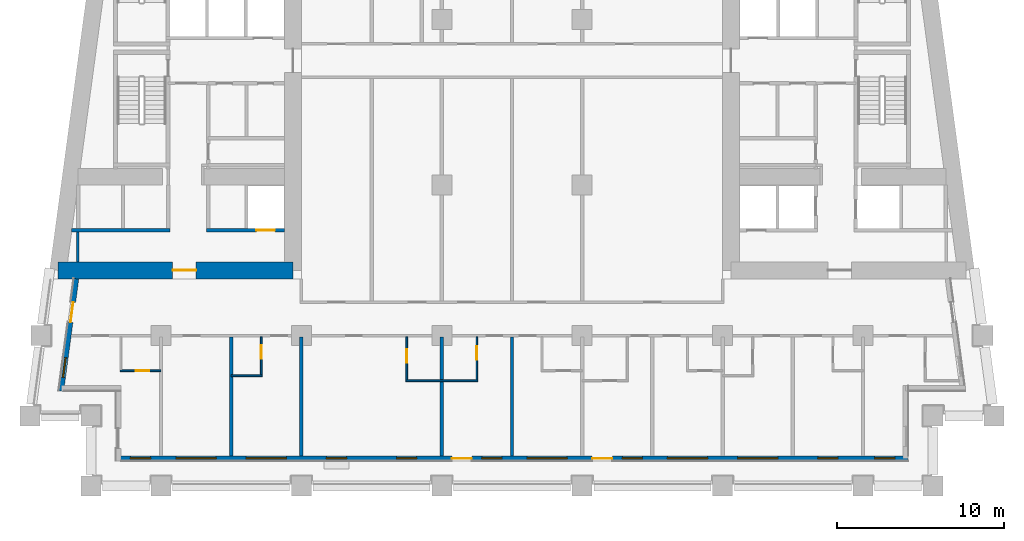
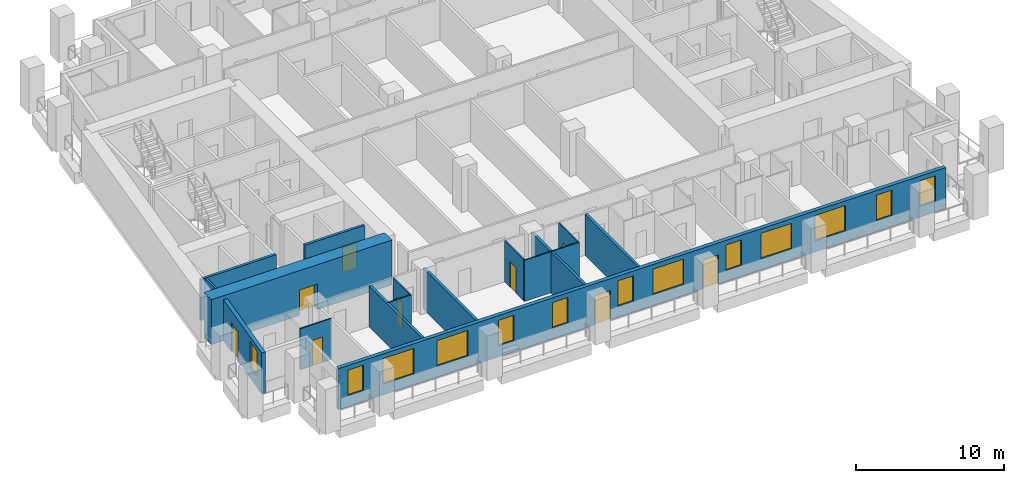
# One storey, part 2 of 13: 16 walls, 13 windows, 9 doors, 22 openings.
"""IFC4 building model written with IfcOpenShell, lengths in metres."""

from ifc_helpers import new_model, si_unit, direction, frame, frame_2d, origin, place, context, subcontext, project, spatial, rectangle, extrude, material, layer, layer_set, type_object, element, fill, save


model = new_model("IFC4")

# Units and contexts
model_context = context("Model", 3, precision=1e-05, world=origin(), true_north=direction((0.0, 1.0)))
body_context = subcontext(model_context, "Body", "Model", "MODEL_VIEW")
ifc_project = project(units=[si_unit("LENGTHUNIT", "METRE"), si_unit("AREAUNIT", "SQUARE_METRE"), si_unit("VOLUMEUNIT", "CUBIC_METRE"), si_unit("PLANEANGLEUNIT", "RADIAN"), si_unit("MASSUNIT", "GRAM", prefix="KILO")], contexts=[model_context])

# Site, building, storey
site_placement = place(None, origin())
site = spatial("IfcSite", under=ifc_project, at=site_placement, CompositionType="ELEMENT")
building_placement = place(site_placement, origin())
building = spatial("IfcBuilding", under=site, at=building_placement, Name="Candeia Pilgrim Tower and Theatre", CompositionType="ELEMENT")
storey_placement = place(building_placement, frame((0.0, 0.0, 91.0)))
storey = spatial("IfcBuildingStorey", under=building, at=storey_placement, Name="L20", CompositionType="ELEMENT", Elevation=91.0)

# Wall, opening, door
ifc_material_1 = material(Name="Concrete C70/85", Category="concrete")
ifc_layer_1 = layer(ifc_material_1, 1.0)
ifc_layer_set_1 = layer_set([ifc_layer_1], Name="Core wall 1000 C70/85")
wall_type_1 = type_object("IfcWallType", Name="Core wall 1000 C70/85", PredefinedType="SHEAR", material=ifc_layer_set_1)
wall_1_placement = place(storey_placement, frame((100.300048828125, 110.89990234375, 0.0), z_axis=(0.0, 0.0, 1.0), x_axis=(-1.0, 0.0, 0.0)))
wall_1 = element("IfcWall", 1, at=wall_1_placement, inside=storey, type_object=wall_type_1, Name="Core wall W3", PredefinedType="SHEAR", context=body_context, shape_type="SweptSolid", body=[
    extrude(rectangle(XDim=14.05908203125, YDim=1.0, at=frame_2d((7.029541015625, 0.0))), origin(), (0.0, 0.0, 1.0), 3.699951171875),
])
opening_1_placement = place(wall_1_placement, frame((5.801513671875, 0.0, 0.0)))
opening_1 = element("IfcOpeningElement", 2, at=opening_1_placement, cuts=wall_1, Name="Opening L20-D059", PredefinedType="OPENING", context=body_context, shape_type="SweptSolid", body=[
    extrude(rectangle(XDim=1.39990234375, YDim=2.10009765625, at=frame_2d((0.699951171875, 1.050048828125))), frame((0.0, 0.510009765625, 0.0), z_axis=(0.0, -1.0, 0.0), x_axis=(1.0, 0.0, 0.0)), (0.0, 0.0, 1.0), 1.02001953125),
])
ifc_material_2 = material(Name="Steel fire door set", Category="steel")
door_type_1 = type_object("IfcDoorType", Name="D-1400-FD60", OperationType="NOTDEFINED", PredefinedType="DOOR", material=ifc_material_2)
door_1_placement = place(opening_1_placement, origin())
door_1 = element("IfcDoor", 3, at=door_1_placement, inside=storey, type_object=door_type_1, Name="Door L20-D059", OperationType="SINGLE_SWING_LEFT", OverallHeight=2.10009765625, OverallWidth=1.39990234375, PredefinedType="DOOR", context=body_context, shape_type="SweptSolid", body=[
    extrude(rectangle(XDim=1.39990234375, YDim=2.10009765625, at=frame_2d((0.699951171875, 1.050048828125))), frame((0.0, 0.02490234375, 0.0), z_axis=(0.0, -1.0, 0.0), x_axis=(1.0, 0.0, 0.0)), (0.0, 0.0, 1.0), 0.050048828125),
])
fill(opening_1, door_1)

# Wall, openings, doors, windows
ifc_material_3 = material(Name="Ceramic block masonry", Category="masonry")
ifc_layer_2 = layer(ifc_material_3, 0.300048828125)
ifc_layer_set_2 = layer_set([ifc_layer_2], Name="EW1 glazing-line wall 300")
wall_type_2 = type_object("IfcWallType", Name="EW1 glazing-line wall 300", PredefinedType="SOLIDWALL", material=ifc_layer_set_2)
wall_2_placement = place(storey_placement, frame((89.85009765625, 99.64990234375, 0.0), z_axis=(0.0, 0.0, 1.0), x_axis=(1.0, 0.0, 0.0)))
wall_2 = element("IfcWall", 4, at=wall_2_placement, inside=storey, type_object=wall_type_2, Name="External wall L20-0.0", PredefinedType="SOLIDWALL", context=body_context, shape_type="SweptSolid", body=[
    extrude(rectangle(XDim=47.25, YDim=0.300048828125, at=frame_2d((23.625, 0.0))), origin(), (0.0, 0.0, 1.0), 3.3798828125),
])
opening_2_placement = place(wall_2_placement, frame((0.72509765625, 0.0, 0.89990234375)))
opening_2 = element("IfcOpeningElement", 5, at=opening_2_placement, cuts=wall_2, Name="Opening W-B", PredefinedType="OPENING", context=body_context, shape_type="SweptSolid", body=[
    extrude(rectangle(XDim=1.199951171875, YDim=2.10009765625, at=frame_2d((0.60009765625, 1.050048828125))), frame((0.0, 0.16015625, 0.0), z_axis=(0.0, -1.0, 0.0), x_axis=(1.0, 0.0, 0.0)), (0.0, 0.0, 1.0), 0.320068359375),
])
opening_3_placement = place(wall_2_placement, frame((3.449951171875, 0.0, 0.89990234375)))
opening_3 = element("IfcOpeningElement", 6, at=opening_3_placement, cuts=wall_2, Name="Opening W-A", PredefinedType="OPENING", context=body_context, shape_type="SweptSolid", body=[
    extrude(rectangle(XDim=2.39990234375, YDim=2.10009765625, at=frame_2d((1.199951171875, 1.050048828125))), frame((0.0, 0.16015625, 0.0), z_axis=(0.0, -1.0, 0.0), x_axis=(1.0, 0.0, 0.0)), (0.0, 0.0, 1.0), 0.320068359375),
])
opening_4_placement = place(wall_2_placement, frame((7.64990234375, 0.0, 0.89990234375)))
opening_4 = element("IfcOpeningElement", 7, at=opening_4_placement, cuts=wall_2, Name="Opening W-A", PredefinedType="OPENING", context=body_context, shape_type="SweptSolid", body=[
    extrude(rectangle(XDim=2.39990234375, YDim=2.10009765625, at=frame_2d((1.199951171875, 1.050048828125))), frame((0.0, 0.16015625, 0.0), z_axis=(0.0, -1.0, 0.0), x_axis=(1.0, 0.0, 0.0)), (0.0, 0.0, 1.0), 0.320068359375),
])
opening_5_placement = place(wall_2_placement, frame((12.449951171875, 0.0, 0.89990234375)))
opening_5 = element("IfcOpeningElement", 8, at=opening_5_placement, cuts=wall_2, Name="Opening W-B", PredefinedType="OPENING", context=body_context, shape_type="SweptSolid", body=[
    extrude(rectangle(XDim=1.199951171875, YDim=2.10009765625, at=frame_2d((0.60009765625, 1.050048828125))), frame((0.0, 0.16015625, 0.0), z_axis=(0.0, -1.0, 0.0), x_axis=(1.0, 0.0, 0.0)), (0.0, 0.0, 1.0), 0.320068359375),
])
opening_6_placement = place(wall_2_placement, frame((16.64990234375, 0.0, 0.89990234375)))
opening_6 = element("IfcOpeningElement", 9, at=opening_6_placement, cuts=wall_2, Name="Opening W-B", PredefinedType="OPENING", context=body_context, shape_type="SweptSolid", body=[
    extrude(rectangle(XDim=1.199951171875, YDim=2.10009765625, at=frame_2d((0.60009765625, 1.050048828125))), frame((0.0, 0.16015625, 0.0), z_axis=(0.0, -1.0, 0.0), x_axis=(1.0, 0.0, 0.0)), (0.0, 0.0, 1.0), 0.320068359375),
])
opening_7_placement = place(wall_2_placement, frame((19.949951171875, 0.0, 0.0)))
opening_7 = element("IfcOpeningElement", 10, at=opening_7_placement, cuts=wall_2, Name="Opening L20-ED205", PredefinedType="OPENING", context=body_context, shape_type="SweptSolid", body=[
    extrude(rectangle(XDim=1.199951171875, YDim=2.39990234375, at=frame_2d((0.60009765625, 1.199951171875))), frame((0.0, 0.16015625, 0.0), z_axis=(0.0, -1.0, 0.0), x_axis=(1.0, 0.0, 0.0)), (0.0, 0.0, 1.0), 0.320068359375),
])
opening_8_placement = place(wall_2_placement, frame((21.75, 0.0, 0.89990234375)))
opening_8 = element("IfcOpeningElement", 11, at=opening_8_placement, cuts=wall_2, Name="Opening W-B", PredefinedType="OPENING", context=body_context, shape_type="SweptSolid", body=[
    extrude(rectangle(XDim=1.199951171875, YDim=2.10009765625, at=frame_2d((0.60009765625, 1.050048828125))), frame((0.0, 0.16015625, 0.0), z_axis=(0.0, -1.0, 0.0), x_axis=(1.0, 0.0, 0.0)), (0.0, 0.0, 1.0), 0.320068359375),
])
opening_9_placement = place(wall_2_placement, frame((24.449951171875, 0.0, 0.89990234375)))
opening_9 = element("IfcOpeningElement", 12, at=opening_9_placement, cuts=wall_2, Name="Opening W-A", PredefinedType="OPENING", context=body_context, shape_type="SweptSolid", body=[
    extrude(rectangle(XDim=2.39990234375, YDim=2.10009765625, at=frame_2d((1.199951171875, 1.050048828125))), frame((0.0, 0.16015625, 0.0), z_axis=(0.0, -1.0, 0.0), x_axis=(1.0, 0.0, 0.0)), (0.0, 0.0, 1.0), 0.320068359375),
])
opening_10_placement = place(wall_2_placement, frame((28.35009765625, 0.0, 0.0)))
opening_10 = element("IfcOpeningElement", 13, at=opening_10_placement, cuts=wall_2, Name="Opening L20-ED206", PredefinedType="OPENING", context=body_context, shape_type="SweptSolid", body=[
    extrude(rectangle(XDim=1.199951171875, YDim=2.39990234375, at=frame_2d((0.60009765625, 1.199951171875))), frame((0.0, 0.16015625, 0.0), z_axis=(0.0, -1.0, 0.0), x_axis=(1.0, 0.0, 0.0)), (0.0, 0.0, 1.0), 0.320068359375),
])
opening_11_placement = place(wall_2_placement, frame((30.14990234375, 0.0, 0.89990234375)))
opening_11 = element("IfcOpeningElement", 14, at=opening_11_placement, cuts=wall_2, Name="Opening W-B", PredefinedType="OPENING", context=body_context, shape_type="SweptSolid", body=[
    extrude(rectangle(XDim=1.199951171875, YDim=2.10009765625, at=frame_2d((0.60009765625, 1.050048828125))), frame((0.0, 0.16015625, 0.0), z_axis=(0.0, -1.0, 0.0), x_axis=(1.0, 0.0, 0.0)), (0.0, 0.0, 1.0), 0.320068359375),
])
opening_12_placement = place(wall_2_placement, frame((32.85009765625, 0.0, 0.89990234375)))
opening_12 = element("IfcOpeningElement", 15, at=opening_12_placement, cuts=wall_2, Name="Opening W-A", PredefinedType="OPENING", context=body_context, shape_type="SweptSolid", body=[
    extrude(rectangle(XDim=2.39990234375, YDim=2.10009765625, at=frame_2d((1.199951171875, 1.050048828125))), frame((0.0, 0.16015625, 0.0), z_axis=(0.0, -1.0, 0.0), x_axis=(1.0, 0.0, 0.0)), (0.0, 0.0, 1.0), 0.320068359375),
])
opening_13_placement = place(wall_2_placement, frame((37.050048828125, 0.0, 0.89990234375)))
opening_13 = element("IfcOpeningElement", 16, at=opening_13_placement, cuts=wall_2, Name="Opening W-A", PredefinedType="OPENING", context=body_context, shape_type="SweptSolid", body=[
    extrude(rectangle(XDim=2.39990234375, YDim=2.10009765625, at=frame_2d((1.199951171875, 1.050048828125))), frame((0.0, 0.16015625, 0.0), z_axis=(0.0, -1.0, 0.0), x_axis=(1.0, 0.0, 0.0)), (0.0, 0.0, 1.0), 0.320068359375),
])
opening_14_placement = place(wall_2_placement, frame((41.85009765625, 0.0, 0.89990234375)))
opening_14 = element("IfcOpeningElement", 17, at=opening_14_placement, cuts=wall_2, Name="Opening W-B", PredefinedType="OPENING", context=body_context, shape_type="SweptSolid", body=[
    extrude(rectangle(XDim=1.199951171875, YDim=2.10009765625, at=frame_2d((0.60009765625, 1.050048828125))), frame((0.0, 0.16015625, 0.0), z_axis=(0.0, -1.0, 0.0), x_axis=(1.0, 0.0, 0.0)), (0.0, 0.0, 1.0), 0.320068359375),
])
opening_15_placement = place(wall_2_placement, frame((45.25, 0.0, 0.89990234375)))
opening_15 = element("IfcOpeningElement", 18, at=opening_15_placement, cuts=wall_2, Name="Opening W-B", PredefinedType="OPENING", context=body_context, shape_type="SweptSolid", body=[
    extrude(rectangle(XDim=1.199951171875, YDim=2.10009765625, at=frame_2d((0.60009765625, 1.050048828125))), frame((0.0, 0.16015625, 0.0), z_axis=(0.0, -1.0, 0.0), x_axis=(1.0, 0.0, 0.0)), (0.0, 0.0, 1.0), 0.320068359375),
])
ifc_material_4 = material(Name="Aluminium framed glazed door", Category="aluminium")
door_type_2 = type_object("IfcDoorType", Name="Loggia door 1200x2400", OperationType="DOUBLE_DOOR_SINGLE_SWING", PredefinedType="DOOR", material=ifc_material_4)
door_2_placement = place(opening_7_placement, origin())
door_2 = element("IfcDoor", 19, at=door_2_placement, inside=storey, type_object=door_type_2, Name="Loggia door L20-ED205", OperationType="DOUBLE_DOOR_SINGLE_SWING", OverallHeight=2.39990234375, OverallWidth=1.199951171875, PredefinedType="DOOR", context=body_context, shape_type="SweptSolid", body=[
    extrude(rectangle(XDim=1.199951171875, YDim=2.39990234375, at=frame_2d((0.60009765625, 1.199951171875))), frame((0.0, 0.02490234375, 0.0), z_axis=(0.0, -1.0, 0.0), x_axis=(1.0, 0.0, 0.0)), (0.0, 0.0, 1.0), 0.050048828125),
])
fill(opening_7, door_2)
door_3_placement = place(opening_10_placement, origin())
door_3 = element("IfcDoor", 20, at=door_3_placement, inside=storey, type_object=door_type_2, Name="Loggia door L20-ED206", OperationType="DOUBLE_DOOR_SINGLE_SWING", OverallHeight=2.39990234375, OverallWidth=1.199951171875, PredefinedType="DOOR", context=body_context, shape_type="SweptSolid", body=[
    extrude(rectangle(XDim=1.199951171875, YDim=2.39990234375, at=frame_2d((0.60009765625, 1.199951171875))), frame((0.0, 0.02490234375, 0.0), z_axis=(0.0, -1.0, 0.0), x_axis=(1.0, 0.0, 0.0)), (0.0, 0.0, 1.0), 0.050048828125),
])
fill(opening_10, door_3)
ifc_material_5 = material(Name="Aluminium framed double glazing", Category="aluminium")
window_type_1 = type_object("IfcWindowType", Name="W-A window 2400x2100", PartitioningType="DOUBLE_PANEL_VERTICAL", PredefinedType="WINDOW", material=ifc_material_5)
window_1_placement = place(opening_3_placement, origin())
window_1 = element("IfcWindow", 21, at=window_1_placement, inside=storey, type_object=window_type_1, Name="Window W-A L20", OverallHeight=2.10009765625, OverallWidth=2.39990234375, PartitioningType="SINGLE_PANEL", PredefinedType="WINDOW", context=body_context, shape_type="SweptSolid", body=[
    extrude(rectangle(XDim=2.39990234375, YDim=2.10009765625, at=frame_2d((1.199951171875, 1.050048828125))), frame((0.0, 0.030029296875, 0.0), z_axis=(0.0, -1.0, 0.0), x_axis=(1.0, 0.0, 0.0)), (0.0, 0.0, 1.0), 0.06005859375),
])
fill(opening_3, window_1)
window_2_placement = place(opening_4_placement, origin())
window_2 = element("IfcWindow", 22, at=window_2_placement, inside=storey, type_object=window_type_1, Name="Window W-A L20", OverallHeight=2.10009765625, OverallWidth=2.39990234375, PartitioningType="SINGLE_PANEL", PredefinedType="WINDOW", context=body_context, shape_type="SweptSolid", body=[
    extrude(rectangle(XDim=2.39990234375, YDim=2.10009765625, at=frame_2d((1.199951171875, 1.050048828125))), frame((0.0, 0.030029296875, 0.0), z_axis=(0.0, -1.0, 0.0), x_axis=(1.0, 0.0, 0.0)), (0.0, 0.0, 1.0), 0.06005859375),
])
fill(opening_4, window_2)
window_3_placement = place(opening_9_placement, origin())
window_3 = element("IfcWindow", 23, at=window_3_placement, inside=storey, type_object=window_type_1, Name="Window W-A L20", OverallHeight=2.10009765625, OverallWidth=2.39990234375, PartitioningType="SINGLE_PANEL", PredefinedType="WINDOW", context=body_context, shape_type="SweptSolid", body=[
    extrude(rectangle(XDim=2.39990234375, YDim=2.10009765625, at=frame_2d((1.199951171875, 1.050048828125))), frame((0.0, 0.030029296875, 0.0), z_axis=(0.0, -1.0, 0.0), x_axis=(1.0, 0.0, 0.0)), (0.0, 0.0, 1.0), 0.06005859375),
])
fill(opening_9, window_3)
window_4_placement = place(opening_12_placement, origin())
window_4 = element("IfcWindow", 24, at=window_4_placement, inside=storey, type_object=window_type_1, Name="Window W-A L20", OverallHeight=2.10009765625, OverallWidth=2.39990234375, PartitioningType="SINGLE_PANEL", PredefinedType="WINDOW", context=body_context, shape_type="SweptSolid", body=[
    extrude(rectangle(XDim=2.39990234375, YDim=2.10009765625, at=frame_2d((1.199951171875, 1.050048828125))), frame((0.0, 0.030029296875, 0.0), z_axis=(0.0, -1.0, 0.0), x_axis=(1.0, 0.0, 0.0)), (0.0, 0.0, 1.0), 0.06005859375),
])
fill(opening_12, window_4)
window_5_placement = place(opening_13_placement, origin())
window_5 = element("IfcWindow", 25, at=window_5_placement, inside=storey, type_object=window_type_1, Name="Window W-A L20", OverallHeight=2.10009765625, OverallWidth=2.39990234375, PartitioningType="SINGLE_PANEL", PredefinedType="WINDOW", context=body_context, shape_type="SweptSolid", body=[
    extrude(rectangle(XDim=2.39990234375, YDim=2.10009765625, at=frame_2d((1.199951171875, 1.050048828125))), frame((0.0, 0.030029296875, 0.0), z_axis=(0.0, -1.0, 0.0), x_axis=(1.0, 0.0, 0.0)), (0.0, 0.0, 1.0), 0.06005859375),
])
fill(opening_13, window_5)
window_type_2 = type_object("IfcWindowType", Name="W-B window 1200x2100", PartitioningType="SINGLE_PANEL", PredefinedType="WINDOW", material=ifc_material_5)
window_6_placement = place(opening_2_placement, origin())
window_6 = element("IfcWindow", 26, at=window_6_placement, inside=storey, type_object=window_type_2, Name="Window W-B L20", OverallHeight=2.10009765625, OverallWidth=1.199951171875, PartitioningType="SINGLE_PANEL", PredefinedType="WINDOW", context=body_context, shape_type="SweptSolid", body=[
    extrude(rectangle(XDim=1.199951171875, YDim=2.10009765625, at=frame_2d((0.60009765625, 1.050048828125))), frame((0.0, 0.030029296875, 0.0), z_axis=(0.0, -1.0, 0.0), x_axis=(1.0, 0.0, 0.0)), (0.0, 0.0, 1.0), 0.06005859375),
])
fill(opening_2, window_6)
window_7_placement = place(opening_5_placement, origin())
window_7 = element("IfcWindow", 27, at=window_7_placement, inside=storey, type_object=window_type_2, Name="Window W-B L20", OverallHeight=2.10009765625, OverallWidth=1.199951171875, PartitioningType="SINGLE_PANEL", PredefinedType="WINDOW", context=body_context, shape_type="SweptSolid", body=[
    extrude(rectangle(XDim=1.199951171875, YDim=2.10009765625, at=frame_2d((0.60009765625, 1.050048828125))), frame((0.0, 0.030029296875, 0.0), z_axis=(0.0, -1.0, 0.0), x_axis=(1.0, 0.0, 0.0)), (0.0, 0.0, 1.0), 0.06005859375),
])
fill(opening_5, window_7)
window_8_placement = place(opening_6_placement, origin())
window_8 = element("IfcWindow", 28, at=window_8_placement, inside=storey, type_object=window_type_2, Name="Window W-B L20", OverallHeight=2.10009765625, OverallWidth=1.199951171875, PartitioningType="SINGLE_PANEL", PredefinedType="WINDOW", context=body_context, shape_type="SweptSolid", body=[
    extrude(rectangle(XDim=1.199951171875, YDim=2.10009765625, at=frame_2d((0.60009765625, 1.050048828125))), frame((0.0, 0.030029296875, 0.0), z_axis=(0.0, -1.0, 0.0), x_axis=(1.0, 0.0, 0.0)), (0.0, 0.0, 1.0), 0.06005859375),
])
fill(opening_6, window_8)
window_9_placement = place(opening_8_placement, origin())
window_9 = element("IfcWindow", 29, at=window_9_placement, inside=storey, type_object=window_type_2, Name="Window W-B L20", OverallHeight=2.10009765625, OverallWidth=1.199951171875, PartitioningType="SINGLE_PANEL", PredefinedType="WINDOW", context=body_context, shape_type="SweptSolid", body=[
    extrude(rectangle(XDim=1.199951171875, YDim=2.10009765625, at=frame_2d((0.60009765625, 1.050048828125))), frame((0.0, 0.030029296875, 0.0), z_axis=(0.0, -1.0, 0.0), x_axis=(1.0, 0.0, 0.0)), (0.0, 0.0, 1.0), 0.06005859375),
])
fill(opening_8, window_9)
window_10_placement = place(opening_11_placement, origin())
window_10 = element("IfcWindow", 30, at=window_10_placement, inside=storey, type_object=window_type_2, Name="Window W-B L20", OverallHeight=2.10009765625, OverallWidth=1.199951171875, PartitioningType="SINGLE_PANEL", PredefinedType="WINDOW", context=body_context, shape_type="SweptSolid", body=[
    extrude(rectangle(XDim=1.199951171875, YDim=2.10009765625, at=frame_2d((0.60009765625, 1.050048828125))), frame((0.0, 0.030029296875, 0.0), z_axis=(0.0, -1.0, 0.0), x_axis=(1.0, 0.0, 0.0)), (0.0, 0.0, 1.0), 0.06005859375),
])
fill(opening_11, window_10)
window_11_placement = place(opening_14_placement, origin())
window_11 = element("IfcWindow", 31, at=window_11_placement, inside=storey, type_object=window_type_2, Name="Window W-B L20", OverallHeight=2.10009765625, OverallWidth=1.199951171875, PartitioningType="SINGLE_PANEL", PredefinedType="WINDOW", context=body_context, shape_type="SweptSolid", body=[
    extrude(rectangle(XDim=1.199951171875, YDim=2.10009765625, at=frame_2d((0.60009765625, 1.050048828125))), frame((0.0, 0.030029296875, 0.0), z_axis=(0.0, -1.0, 0.0), x_axis=(1.0, 0.0, 0.0)), (0.0, 0.0, 1.0), 0.06005859375),
])
fill(opening_14, window_11)
window_12_placement = place(opening_15_placement, origin())
window_12 = element("IfcWindow", 32, at=window_12_placement, inside=storey, type_object=window_type_2, Name="Window W-B L20", OverallHeight=2.10009765625, OverallWidth=1.199951171875, PartitioningType="SINGLE_PANEL", PredefinedType="WINDOW", context=body_context, shape_type="SweptSolid", body=[
    extrude(rectangle(XDim=1.199951171875, YDim=2.10009765625, at=frame_2d((0.60009765625, 1.050048828125))), frame((0.0, 0.030029296875, 0.0), z_axis=(0.0, -1.0, 0.0), x_axis=(1.0, 0.0, 0.0)), (0.0, 0.0, 1.0), 0.06005859375),
])
fill(opening_15, window_12)

# Wall, openings, door, window
wall_3_placement = place(storey_placement, frame((87.334228515625, 110.39990234375, 0.0), z_axis=(0.0, 0.0, 1.0), x_axis=(-0.133437175554, -0.991057273915, 0.0)))
wall_3 = element("IfcWall", 33, at=wall_3_placement, inside=storey, type_object=wall_type_2, Name="External wall L20-9.1", PredefinedType="SOLIDWALL", context=body_context, shape_type="SweptSolid", body=[
    extrude(rectangle(XDim=6.780517578125, YDim=0.300048828125, at=frame_2d((3.39013671875, 0.0))), origin(), (0.0, 0.0, 1.0), 3.3798828125),
])
opening_16_placement = place(wall_3_placement, frame((1.41796875, 0.0, 0.0)))
opening_16 = element("IfcOpeningElement", 34, at=opening_16_placement, cuts=wall_3, Name="Opening L20-ED213", PredefinedType="OPENING", context=body_context, shape_type="SweptSolid", body=[
    extrude(rectangle(XDim=1.199951171875, YDim=2.39990234375, at=frame_2d((0.60009765625, 1.199951171875))), frame((0.0, 0.16015625, 0.0), z_axis=(0.0, -1.0, 0.0), x_axis=(1.0, 0.0, 0.0)), (0.0, 0.0, 1.0), 0.320068359375),
])
opening_17_placement = place(wall_3_placement, frame((4.75830078125, 0.0, 0.89990234375)))
opening_17 = element("IfcOpeningElement", 35, at=opening_17_placement, cuts=wall_3, Name="Opening W-B", PredefinedType="OPENING", context=body_context, shape_type="SweptSolid", body=[
    extrude(rectangle(XDim=1.199951171875, YDim=2.10009765625, at=frame_2d((0.60009765625, 1.050048828125))), frame((0.0, 0.16015625, 0.0), z_axis=(0.0, -1.0, 0.0), x_axis=(1.0, 0.0, 0.0)), (0.0, 0.0, 1.0), 0.320068359375),
])
door_4_placement = place(opening_16_placement, origin())
door_4 = element("IfcDoor", 36, at=door_4_placement, inside=storey, type_object=door_type_2, Name="Loggia door L20-ED213", OperationType="DOUBLE_DOOR_SINGLE_SWING", OverallHeight=2.39990234375, OverallWidth=1.199951171875, PredefinedType="DOOR", context=body_context, shape_type="SweptSolid", body=[
    extrude(rectangle(XDim=1.199951171875, YDim=2.39990234375, at=frame_2d((0.60009765625, 1.199951171875))), frame((0.0, 0.02490234375, 0.0), z_axis=(0.0, -1.0, 0.0), x_axis=(1.0, 0.0, 0.0)), (0.0, 0.0, 1.0), 0.050048828125),
])
fill(opening_16, door_4)
window_13_placement = place(opening_17_placement, origin())
window_13 = element("IfcWindow", 37, at=window_13_placement, inside=storey, type_object=window_type_2, Name="Window W-B L20", OverallHeight=2.10009765625, OverallWidth=1.199951171875, PartitioningType="SINGLE_PANEL", PredefinedType="WINDOW", context=body_context, shape_type="SweptSolid", body=[
    extrude(rectangle(XDim=1.199951171875, YDim=2.10009765625, at=frame_2d((0.60009765625, 1.050048828125))), frame((0.0, 0.030029296875, 0.0), z_axis=(0.0, -1.0, 0.0), x_axis=(1.0, 0.0, 0.0)), (0.0, 0.0, 1.0), 0.06005859375),
])
fill(opening_17, window_13)

# Walls
ifc_material_6 = material(Name="Gypsum board partition on steel studs", Category="steel")
ifc_layer_3 = layer(ifc_material_6, 0.10009765625)
ifc_layer_set_3 = layer_set([ifc_layer_3], Name="PW-100 room partition")
wall_type_3 = type_object("IfcWallType", Name="PW-100 room partition", PredefinedType="PARTITIONING", material=ifc_layer_set_3)
wall_4_placement = place(storey_placement, frame((107.050048828125, 104.300048828125, 0.0), z_axis=(0.0, 0.0, 1.0), x_axis=(1.0, 0.0, 0.0)))
element("IfcWall", 38, at=wall_4_placement, inside=storey, type_object=wall_type_3, Name="Room partition L20-001", PredefinedType="PARTITIONING", context=body_context, shape_type="SweptSolid", body=[
    extrude(rectangle(XDim=4.300048828125, YDim=0.10009765625, at=frame_2d((2.14990234375, 0.0))), origin(), (0.0, 0.0, 1.0), 3.3798828125),
])
wall_5_placement = place(storey_placement, frame((96.60009765625, 104.60009765625, 0.0), z_axis=(0.0, 0.0, 1.0), x_axis=(1.0, 0.0, 0.0)))
element("IfcWall", 39, at=wall_5_placement, inside=storey, type_object=wall_type_3, Name="Room partition L20-004", PredefinedType="PARTITIONING", context=body_context, shape_type="SweptSolid", body=[
    extrude(rectangle(XDim=1.849853515625, YDim=0.10009765625, at=frame_2d((0.9248046875, 0.0))), origin(), (0.0, 0.0, 1.0), 3.3798828125),
])

# Wall, opening, door
wall_6_placement = place(storey_placement, frame((89.949951171875, 104.89990234375, 0.0), z_axis=(0.0, 0.0, 1.0), x_axis=(1.0, 0.0, 0.0)))
wall_6 = element("IfcWall", 40, at=wall_6_placement, inside=storey, type_object=wall_type_3, Name="Room partition L20-006", PredefinedType="PARTITIONING", context=body_context, shape_type="SweptSolid", body=[
    extrude(rectangle(XDim=2.449951171875, YDim=0.10009765625, at=frame_2d((1.22509765625, 0.0))), origin(), (0.0, 0.0, 1.0), 3.3798828125),
])
opening_18_placement = place(wall_6_placement, frame((0.93994140625, 0.0, 0.0)))
opening_18 = element("IfcOpeningElement", 41, at=opening_18_placement, cuts=wall_6, Name="Opening L20-D014", PredefinedType="OPENING", context=body_context, shape_type="SweptSolid", body=[
    extrude(rectangle(XDim=0.800048828125, YDim=2.10009765625, at=frame_2d((0.39990234375, 1.050048828125))), frame((0.0, 0.06005859375, 0.0), z_axis=(0.0, -1.0, 0.0), x_axis=(1.0, 0.0, 0.0)), (0.0, 0.0, 1.0), 0.1201171875),
])
ifc_material_7 = material(Name="Timber door leaf", Category="wood")
door_type_3 = type_object("IfcDoorType", Name="D-800", OperationType="NOTDEFINED", PredefinedType="DOOR", material=ifc_material_7)
door_5_placement = place(opening_18_placement, origin())
door_5 = element("IfcDoor", 42, at=door_5_placement, inside=storey, type_object=door_type_3, Name="Door L20-D014", OperationType="SINGLE_SWING_RIGHT", OverallHeight=2.10009765625, OverallWidth=0.800048828125, PredefinedType="DOOR", context=body_context, shape_type="SweptSolid", body=[
    extrude(rectangle(XDim=0.800048828125, YDim=2.10009765625, at=frame_2d((0.39990234375, 1.050048828125))), frame((0.0, 0.02490234375, 0.0), z_axis=(0.0, -1.0, 0.0), x_axis=(1.0, 0.0, 0.0)), (0.0, 0.0, 1.0), 0.050048828125),
])
fill(opening_18, door_5)

wall_7_placement = place(storey_placement, frame((98.39990234375, 104.64990234375, 0.0), z_axis=(0.0, 0.0, 1.0), x_axis=(0.0, 1.0, 0.0)))
wall_7 = element("IfcWall", 43, at=wall_7_placement, inside=storey, type_object=wall_type_3, Name="Room partition L20-071", PredefinedType="PARTITIONING", context=body_context, shape_type="SweptSolid", body=[
    extrude(rectangle(XDim=2.275146484375, YDim=0.10009765625, at=frame_2d((1.1376953125, 0.0))), origin(), (0.0, 0.0, 1.0), 3.3798828125),
])
opening_19_placement = place(wall_7_placement, frame((0.97509765625, 0.0, 0.0)))
opening_19 = element("IfcOpeningElement", 44, at=opening_19_placement, cuts=wall_7, Name="Opening L20-D017", PredefinedType="OPENING", context=body_context, shape_type="SweptSolid", body=[
    extrude(rectangle(XDim=0.800048828125, YDim=2.10009765625, at=frame_2d((0.39990234375, 1.050048828125))), frame((0.0, 0.06005859375, 0.0), z_axis=(0.0, -1.0, 0.0), x_axis=(1.0, 0.0, 0.0)), (0.0, 0.0, 1.0), 0.1201171875),
])
door_6_placement = place(opening_19_placement, origin())
door_6 = element("IfcDoor", 45, at=door_6_placement, inside=storey, type_object=door_type_3, Name="Door L20-D017", OperationType="SINGLE_SWING_LEFT", OverallHeight=2.10009765625, OverallWidth=0.800048828125, PredefinedType="DOOR", context=body_context, shape_type="SweptSolid", body=[
    extrude(rectangle(XDim=0.800048828125, YDim=2.10009765625, at=frame_2d((0.39990234375, 1.050048828125))), frame((0.0, 0.02490234375, 0.0), z_axis=(0.0, -1.0, 0.0), x_axis=(1.0, 0.0, 0.0)), (0.0, 0.0, 1.0), 0.050048828125),
])
fill(opening_19, door_6)

wall_8_placement = place(storey_placement, frame((107.10009765625, 104.35009765625, 0.0), z_axis=(0.0, 0.0, 1.0), x_axis=(0.0, 1.0, 0.0)))
wall_8 = element("IfcWall", 46, at=wall_8_placement, inside=storey, type_object=wall_type_3, Name="Room partition L20-079", PredefinedType="PARTITIONING", context=body_context, shape_type="SweptSolid", body=[
    extrude(rectangle(XDim=2.574951171875, YDim=0.10009765625, at=frame_2d((1.28759765625, 0.0))), origin(), (0.0, 0.0, 1.0), 3.3798828125),
])
opening_20_placement = place(wall_8_placement, frame((1.02001953125, 0.0, 0.0)))
opening_20 = element("IfcOpeningElement", 47, at=opening_20_placement, cuts=wall_8, Name="Opening L20-D019", PredefinedType="OPENING", context=body_context, shape_type="SweptSolid", body=[
    extrude(rectangle(XDim=0.800048828125, YDim=2.10009765625, at=frame_2d((0.39990234375, 1.050048828125))), frame((0.0, 0.06005859375, 0.0), z_axis=(0.0, -1.0, 0.0), x_axis=(1.0, 0.0, 0.0)), (0.0, 0.0, 1.0), 0.1201171875),
])
door_7_placement = place(opening_20_placement, origin())
door_7 = element("IfcDoor", 48, at=door_7_placement, inside=storey, type_object=door_type_3, Name="Door L20-D019", OperationType="SINGLE_SWING_LEFT", OverallHeight=2.10009765625, OverallWidth=0.800048828125, PredefinedType="DOOR", context=body_context, shape_type="SweptSolid", body=[
    extrude(rectangle(XDim=0.800048828125, YDim=2.10009765625, at=frame_2d((0.39990234375, 1.050048828125))), frame((0.0, 0.02490234375, 0.0), z_axis=(0.0, -1.0, 0.0), x_axis=(1.0, 0.0, 0.0)), (0.0, 0.0, 1.0), 0.050048828125),
])
fill(opening_20, door_7)

wall_9_placement = place(storey_placement, frame((111.300048828125, 104.35009765625, 0.0), z_axis=(0.0, 0.0, 1.0), x_axis=(0.0, 1.0, 0.0)))
wall_9 = element("IfcWall", 49, at=wall_9_placement, inside=storey, type_object=wall_type_3, Name="Room partition L20-086", PredefinedType="PARTITIONING", context=body_context, shape_type="SweptSolid", body=[
    extrude(rectangle(XDim=2.574951171875, YDim=0.10009765625, at=frame_2d((1.28759765625, 0.0))), origin(), (0.0, 0.0, 1.0), 3.3798828125),
])
opening_21_placement = place(wall_9_placement, frame((1.199951171875, 0.0, 0.0)))
opening_21 = element("IfcOpeningElement", 50, at=opening_21_placement, cuts=wall_9, Name="Opening L20-D021", PredefinedType="OPENING", context=body_context, shape_type="SweptSolid", body=[
    extrude(rectangle(XDim=0.800048828125, YDim=2.10009765625, at=frame_2d((0.39990234375, 1.050048828125))), frame((0.0, 0.06005859375, 0.0), z_axis=(0.0, -1.0, 0.0), x_axis=(1.0, 0.0, 0.0)), (0.0, 0.0, 1.0), 0.1201171875),
])
door_8_placement = place(opening_21_placement, origin())
door_8 = element("IfcDoor", 51, at=door_8_placement, inside=storey, type_object=door_type_3, Name="Door L20-D021", OperationType="SINGLE_SWING_LEFT", OverallHeight=2.10009765625, OverallWidth=0.800048828125, PredefinedType="DOOR", context=body_context, shape_type="SweptSolid", body=[
    extrude(rectangle(XDim=0.800048828125, YDim=2.10009765625, at=frame_2d((0.39990234375, 1.050048828125))), frame((0.0, 0.02490234375, 0.0), z_axis=(0.0, -1.0, 0.0), x_axis=(1.0, 0.0, 0.0)), (0.0, 0.0, 1.0), 0.050048828125),
])
fill(opening_21, door_8)

# Walls
ifc_layer_4 = layer(ifc_material_6, 0.14990234375)
ifc_layer_set_4 = layer_set([ifc_layer_4], Name="PW-150 lobby wall")
wall_type_4 = type_object("IfcWallType", Name="PW-150 lobby wall", PredefinedType="PARTITIONING", material=ifc_layer_set_4)
wall_10_placement = place(storey_placement, frame((87.428955078125, 111.39990234375, 0.0), z_axis=(0.0, 0.0, 1.0), x_axis=(0.0, 1.0, 0.0)))
element("IfcWall", 52, at=wall_10_placement, inside=storey, type_object=wall_type_4, Name="Lobby wall L20-050", PredefinedType="PARTITIONING", context=body_context, shape_type="SweptSolid", body=[
    extrude(rectangle(XDim=1.800048828125, YDim=0.14990234375, at=frame_2d((0.89990234375, 0.0))), origin(), (0.0, 0.0, 1.0), 3.3798828125),
])
ifc_layer_5 = layer(ifc_material_6, 0.199951171875)
ifc_layer_set_5 = layer_set([ifc_layer_5], Name="PW-200 party wall")
wall_type_5 = type_object("IfcWallType", Name="PW-200 party wall", PredefinedType="PARTITIONING", material=ifc_layer_set_5)
for number, where, z_axis, x_axis, name in (
    (53, (96.60009765625, 99.7900390625, 0.0), (0.0, 0.0, 1.0), (0.0, 1.0, 0.0), "Party wall L20-066"),
    (54, (100.800048828125, 99.7900390625, 0.0), (0.0, 0.0, 1.0), (0.0, 1.0, 0.0), "Party wall L20-072"),
    (55, (109.199951171875, 99.7900390625, 0.0), (0.0, 0.0, 1.0), (0.0, 1.0, 0.0), "Party wall L20-082"),
    (56, (113.39990234375, 99.7900390625, 0.0), (0.0, 0.0, 1.0), (0.0, 1.0, 0.0), "Party wall L20-088"),
):
    element("IfcWall", number, at=place(storey_placement, frame(where, z_axis=z_axis, x_axis=x_axis)), inside=storey, type_object=wall_type_5, Name=name, PredefinedType="PARTITIONING", context=body_context, shape_type="SweptSolid", body=[
        extrude(rectangle(XDim=7.135009765625, YDim=0.199951171875, at=frame_2d((3.5673828125, 0.0))), origin(), (0.0, 0.0, 1.0), 3.3798828125),
    ])
ifc_material_8 = material(Name="Concrete C40/50", Category="concrete")
ifc_layer_6 = layer(ifc_material_8, 0.199951171875)
ifc_layer_set_6 = layer_set([ifc_layer_6], Name="SW-200 shaft wall")
wall_type_6 = type_object("IfcWallType", Name="SW-200 shaft wall", PredefinedType="PARTITIONING", material=ifc_layer_set_6)
wall_11_placement = place(storey_placement, frame((87.03857421875, 113.300048828125, 0.0), z_axis=(0.0, 0.0, 1.0), x_axis=(1.0, 0.0, 0.0)))
element("IfcWall", 57, at=wall_11_placement, inside=storey, type_object=wall_type_6, Name="Shaft wall L20-012", PredefinedType="PARTITIONING", context=body_context, shape_type="SweptSolid", body=[
    extrude(rectangle(XDim=5.888427734375, YDim=0.199951171875, at=frame_2d((2.9443359375, 0.0))), origin(), (0.0, 0.0, 1.0), 3.3798828125),
])

# Wall, opening, door
wall_12_placement = place(storey_placement, frame((95.126953125, 113.300048828125, 0.0), z_axis=(0.0, 0.0, 1.0), x_axis=(1.0, 0.0, 0.0)))
wall_12 = element("IfcWall", 58, at=wall_12_placement, inside=storey, type_object=wall_type_6, Name="Shaft wall L20-013", PredefinedType="PARTITIONING", context=body_context, shape_type="SweptSolid", body=[
    extrude(rectangle(XDim=4.673095703125, YDim=0.199951171875, at=frame_2d((2.33642578125, 0.0))), origin(), (0.0, 0.0, 1.0), 3.3798828125),
])
opening_22_placement = place(wall_12_placement, frame((2.97998046875, 0.0, 0.0)))
opening_22 = element("IfcOpeningElement", 59, at=opening_22_placement, cuts=wall_12, Name="Opening L20-LD03", PredefinedType="OPENING", context=body_context, shape_type="SweptSolid", body=[
    extrude(rectangle(XDim=1.10009765625, YDim=2.10009765625, at=frame_2d((0.550048828125, 1.050048828125))), frame((0.0, 0.10986328125, 0.0), z_axis=(0.0, -1.0, 0.0), x_axis=(1.0, 0.0, 0.0)), (0.0, 0.0, 1.0), 0.219970703125),
])
ifc_material_9 = material(Name="Glazed aluminium landing door", Category="aluminium")
door_type_4 = type_object("IfcDoorType", Name="LD-1100-EI120", OperationType="SLIDING_TO_LEFT", PredefinedType="DOOR", material=ifc_material_9)
door_9_placement = place(opening_22_placement, origin())
door_9 = element("IfcDoor", 60, at=door_9_placement, inside=storey, type_object=door_type_4, Name="Landing door 03 L20", OperationType="SLIDING_TO_LEFT", OverallHeight=2.10009765625, OverallWidth=1.10009765625, PredefinedType="DOOR", context=body_context, shape_type="SweptSolid", body=[
    extrude(rectangle(XDim=1.10009765625, YDim=2.10009765625, at=frame_2d((0.550048828125, 1.050048828125))), frame((0.0, 0.02490234375, 0.0), z_axis=(0.0, -1.0, 0.0), x_axis=(1.0, 0.0, 0.0)), (0.0, 0.0, 1.0), 0.050048828125),
])
fill(opening_22, door_9)

save(model, "model.ifc")
